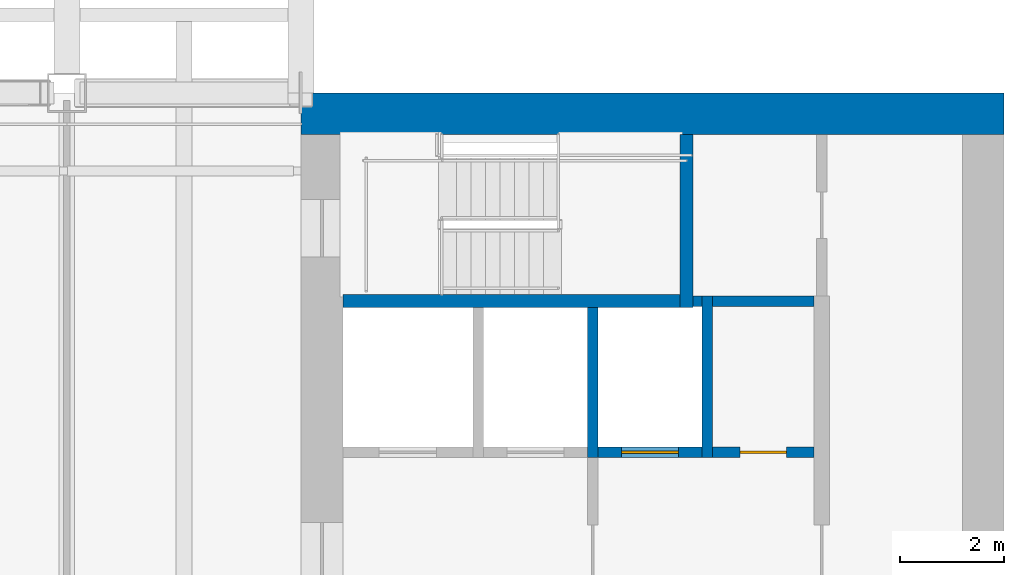
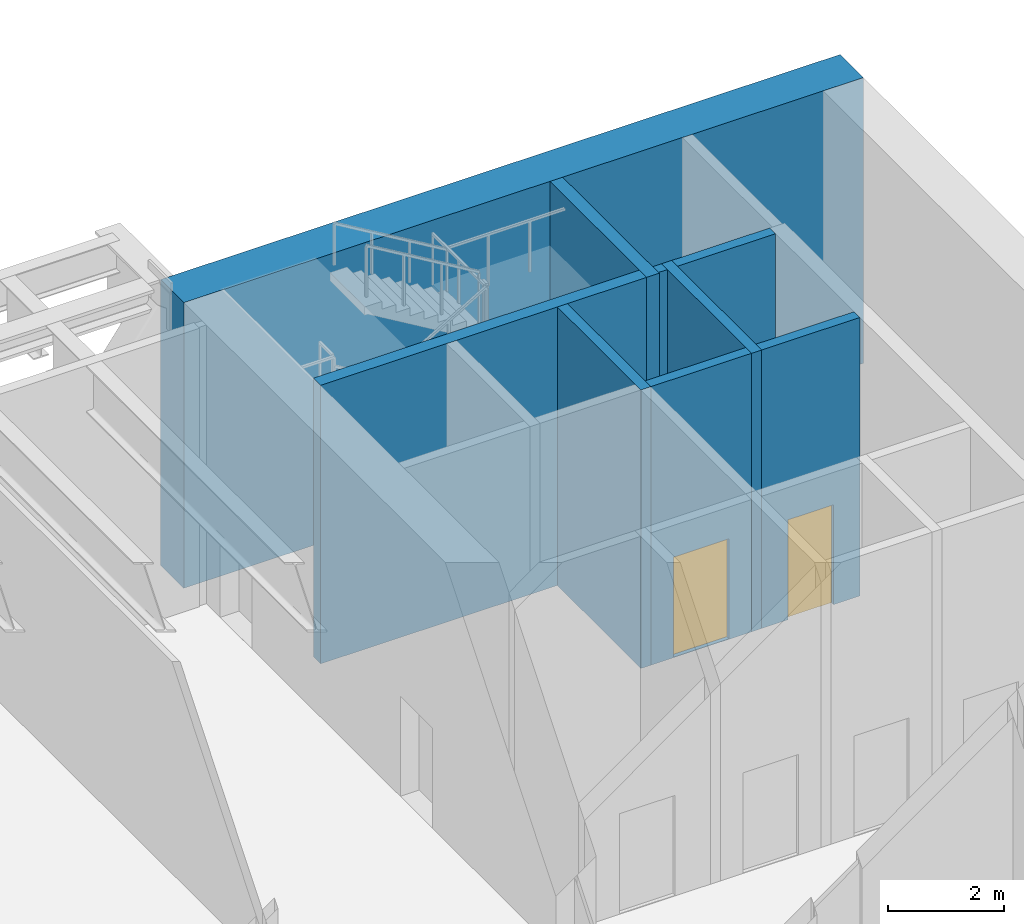
# One storey, part 11 of 20: 9 walls, 2 doors, 2 openings.
"""IFC4 building model written with IfcOpenShell, lengths in metres."""

from ifc_helpers import new_model, si_unit, direction, frame, frame_2d, origin, place, context, subcontext, project, spatial, rectangle, extrude, material, layer, layer_set, type_object, element, fill, save


model = new_model("IFC4")

# Units and contexts
model_context = context("Model", 3, precision=1e-05, world=origin(), true_north=direction((0.0, 1.0)))
body_context = subcontext(model_context, "Body", "Model", "MODEL_VIEW")
ifc_project = project(units=[si_unit("LENGTHUNIT", "METRE"), si_unit("AREAUNIT", "SQUARE_METRE"), si_unit("VOLUMEUNIT", "CUBIC_METRE"), si_unit("PLANEANGLEUNIT", "RADIAN"), si_unit("MASSUNIT", "GRAM", prefix="KILO")], contexts=[model_context])

# Site, building, storey
site_placement = place(None, origin())
site = spatial("IfcSite", under=ifc_project, at=site_placement, CompositionType="ELEMENT")
building_placement = place(site_placement, origin())
building = spatial("IfcBuilding", under=site, at=building_placement, Name="Sennacour Bend Tower", CompositionType="ELEMENT")
storey_placement = place(building_placement, frame((0.0, 0.0, 243.0)))
storey = spatial("IfcBuildingStorey", under=building, at=storey_placement, Name="L56", CompositionType="ELEMENT", Elevation=243.0)

# Wall
ifc_material_1 = material(Name="Concrete C50/60", Category="concrete")
ifc_layer_1 = layer(ifc_material_1, 0.800048828125, Name="Concrete C50/60", Category="concrete")
ifc_layer_set_1 = layer_set([ifc_layer_1], Name="Concrete C50/60")
wall_type_1 = type_object("IfcWallType", Name="Core wall 800 C50/60", PredefinedType="SHEAR", material=ifc_layer_set_1)
wall_1_placement = place(storey_placement, frame((54.0, 22.10009765625, -0.14990234375), z_axis=(0.0, 0.0, 1.0), x_axis=(1.0, 0.0, 0.0)))
element("IfcWall", 1, at=wall_1_placement, inside=storey, type_object=wall_type_1, Name="Core A wall L56 N", PredefinedType="SHEAR", context=body_context, shape_type="SweptSolid", body=[
    extrude(rectangle(XDim=13.5, YDim=0.800048828125, at=frame_2d((6.75, 0.0))), origin(), (0.0, 0.0, 1.0), 6.0),
])

# Wall, opening, door
ifc_material_2 = material(Name="Fire-rated plasterboard partition on steel studs", Category="steel")
ifc_layer_2 = layer(ifc_material_2, 0.199951171875, Name="Fire-rated plasterboard partition on steel studs", Category="steel")
ifc_layer_set_2 = layer_set([ifc_layer_2], Name="Fire-rated plasterboard partition on steel studs")
wall_type_2 = type_object("IfcWallType", Name="Rated partition 200", PredefinedType="PARTITIONING", material=ifc_layer_set_2)
wall_2_placement = place(storey_placement, frame((61.89990234375, 15.60009765625, 0.0), z_axis=(0.0, 0.0, 1.0), x_axis=(1.0, 0.0, 0.0)))
wall_2 = element("IfcWall", 2, at=wall_2_placement, inside=storey, type_object=wall_type_2, Name="P-L56-W046", PredefinedType="PARTITIONING", context=body_context, shape_type="SweptSolid", body=[
    extrude(rectangle(XDim=1.9501953125, YDim=0.199951171875, at=frame_2d((0.97509765625, 0.0))), origin(), (0.0, 0.0, 1.0), 5.85009765625),
])
opening_1_placement = place(wall_2_placement, frame((0.525146484375, 0.0, 0.0)))
opening_1 = element("IfcOpeningElement", 3, at=opening_1_placement, cuts=wall_2, Name="Opening SV", PredefinedType="OPENING", context=body_context, shape_type="SweptSolid", body=[
    extrude(rectangle(XDim=0.89990234375, YDim=2.10009765625, at=frame_2d((0.449951171875, 1.050048828125))), frame((0.0, 0.10986328125, 0.0), z_axis=(0.0, -1.0, 0.0), x_axis=(1.0, 0.0, 0.0)), (0.0, 0.0, 1.0), 0.219970703125),
])
ifc_material_3 = material(Name="Painted steel", Category="steel")
door_type_1 = type_object("IfcDoorType", Name="DR-SERVICE-900", OperationType="NOTDEFINED", PredefinedType="DOOR", material=ifc_material_3)
door_1_placement = place(opening_1_placement, origin())
door_1 = element("IfcDoor", 4, at=door_1_placement, inside=storey, type_object=door_type_1, Name="Door", OperationType="SINGLE_SWING_LEFT", OverallHeight=2.10009765625, OverallWidth=0.89990234375, PredefinedType="DOOR", context=body_context, shape_type="SweptSolid", body=[
    extrude(rectangle(XDim=0.89990234375, YDim=2.10009765625, at=frame_2d((0.449951171875, 1.050048828125))), frame((0.0, 0.02490234375, 0.0), z_axis=(0.0, -1.0, 0.0), x_axis=(1.0, 0.0, 0.0)), (0.0, 0.0, 1.0), 0.050048828125),
])
fill(opening_1, door_1)

# Walls
wall_3_placement = place(storey_placement, frame((61.89990234375, 18.5, 0.0), z_axis=(0.0, 0.0, 1.0), x_axis=(1.0, 0.0, 0.0)))
element("IfcWall", 5, at=wall_3_placement, inside=storey, type_object=wall_type_2, Name="P-L56-W049", PredefinedType="PARTITIONING", context=body_context, shape_type="SweptSolid", body=[
    extrude(rectangle(XDim=1.9501953125, YDim=0.199951171875, at=frame_2d((0.97509765625, 0.0))), origin(), (0.0, 0.0, 1.0), 5.85009765625),
])
ifc_layer_3 = layer(ifc_material_1, 0.199951171875, Name="Concrete C50/60", Category="concrete")
ifc_layer_set_3 = layer_set([ifc_layer_3], Name="Concrete C50/60")
wall_type_3 = type_object("IfcWallType", Name="Shaft wall 200", PredefinedType="SOLIDWALL", material=ifc_layer_set_3)
wall_4_placement = place(storey_placement, frame((59.60009765625, 15.5, 0.0), z_axis=(0.0, 0.0, 1.0), x_axis=(0.0, 1.0, 0.0)))
element("IfcWall", 6, at=wall_4_placement, inside=storey, type_object=wall_type_3, Name="P-L56-W024", PredefinedType="SOLIDWALL", context=body_context, shape_type="SweptSolid", body=[
    extrude(rectangle(XDim=2.875, YDim=0.199951171875, at=frame_2d((1.4375, 0.0))), origin(), (0.0, 0.0, 1.0), 5.85009765625),
])
wall_5_placement = place(storey_placement, frame((61.800048828125, 15.5, 0.0), z_axis=(0.0, 0.0, 1.0), x_axis=(0.0, 1.0, 0.0)))
element("IfcWall", 7, at=wall_5_placement, inside=storey, type_object=wall_type_3, Name="P-L56-W029", PredefinedType="SOLIDWALL", context=body_context, shape_type="SweptSolid", body=[
    extrude(rectangle(XDim=3.10009765625, YDim=0.199951171875, at=frame_2d((1.550048828125, 0.0))), origin(), (0.0, 0.0, 1.0), 5.85009765625),
])

# Wall, opening, door
wall_6_placement = place(storey_placement, frame((59.699951171875, 15.60009765625, 0.0), z_axis=(0.0, 0.0, 1.0), x_axis=(1.0, 0.0, 0.0)))
wall_6 = element("IfcWall", 8, at=wall_6_placement, inside=storey, type_object=wall_type_3, Name="P-L56-W045c", PredefinedType="SOLIDWALL", context=body_context, shape_type="SweptSolid", body=[
    extrude(rectangle(XDim=2.0, YDim=0.199951171875, at=frame_2d((1.0, 0.0))), origin(), (0.0, 0.0, 1.0), 5.85009765625),
])
opening_2_placement = place(wall_6_placement, frame((0.449951171875, 0.0, 0.011962890625)))
opening_2 = element("IfcOpeningElement", 9, at=opening_2_placement, cuts=wall_6, Name="Opening LD", PredefinedType="OPENING", context=body_context, shape_type="SweptSolid", body=[
    extrude(rectangle(XDim=1.10009765625, YDim=2.10009765625, at=frame_2d((0.550048828125, 1.050048828125))), frame((0.0, 0.10986328125, 0.0), z_axis=(0.0, -1.0, 0.0), x_axis=(1.0, 0.0, 0.0)), (0.0, 0.0, 1.0), 0.219970703125),
])
ifc_material_4 = material(Name="Stainless steel", Category="steel")
door_type_2 = type_object("IfcDoorType", Name="DR-LANDING-1100", OperationType="NOTDEFINED", PredefinedType="DOOR", material=ifc_material_4)
door_2_placement = place(opening_2_placement, origin())
door_2 = element("IfcDoor", 10, at=door_2_placement, inside=storey, type_object=door_type_2, Name="Lift landing door HA5", OperationType="SLIDING_TO_LEFT", OverallHeight=2.10009765625, OverallWidth=1.10009765625, PredefinedType="DOOR", context=body_context, shape_type="SweptSolid", body=[
    extrude(rectangle(XDim=1.10009765625, YDim=2.10009765625, at=frame_2d((0.550048828125, 1.050048828125))), frame((0.0, 0.02490234375, 0.0), z_axis=(0.0, -1.0, 0.0), x_axis=(1.0, 0.0, 0.0)), (0.0, 0.0, 1.0), 0.050048828125),
])
fill(opening_2, door_2)

# Walls
wall_7_placement = place(storey_placement, frame((61.52490234375, 18.5, 0.0), z_axis=(0.0, 0.0, 1.0), x_axis=(1.0, 0.0, 0.0)))
element("IfcWall", 11, at=wall_7_placement, inside=storey, type_object=wall_type_3, Name="P-L56-W048", PredefinedType="SOLIDWALL", context=body_context, shape_type="SweptSolid", body=[
    extrude(rectangle(XDim=0.175048828125, YDim=0.199951171875, at=frame_2d((0.08740234375, 0.0))), origin(), (0.0, 0.0, 1.0), 5.85009765625),
])
ifc_material_5 = material(Name="Concrete C60/75", Category="concrete")
ifc_layer_4 = layer(ifc_material_5, 0.25, Name="Concrete C60/75", Category="concrete")
ifc_layer_set_4 = layer_set([ifc_layer_4], Name="Concrete C60/75")
wall_type_4 = type_object("IfcWallType", Name="Stair wall 250", PredefinedType="SHEAR", material=ifc_layer_set_4)
wall_8_placement = place(storey_placement, frame((61.39990234375, 18.375, 0.0), z_axis=(0.0, 0.0, 1.0), x_axis=(0.0, 1.0, 0.0)))
element("IfcWall", 12, at=wall_8_placement, inside=storey, type_object=wall_type_4, Name="P-L56-W026", PredefinedType="SHEAR", context=body_context, shape_type="SweptSolid", body=[
    extrude(rectangle(XDim=3.324951171875, YDim=0.25, at=frame_2d((1.66259765625, 0.0))), origin(), (0.0, 0.0, 1.0), 5.85009765625),
])
wall_9_placement = place(storey_placement, frame((54.800048828125, 18.5, 0.0), z_axis=(0.0, 0.0, 1.0), x_axis=(1.0, 0.0, 0.0)))
element("IfcWall", 13, at=wall_9_placement, inside=storey, type_object=wall_type_4, Name="P-L56-W047", PredefinedType="SHEAR", context=body_context, shape_type="SweptSolid", body=[
    extrude(rectangle(XDim=6.474853515625, YDim=0.25, at=frame_2d((3.2373046875, 0.0))), origin(), (0.0, 0.0, 1.0), 5.85009765625),
])

save(model, "model.ifc")
